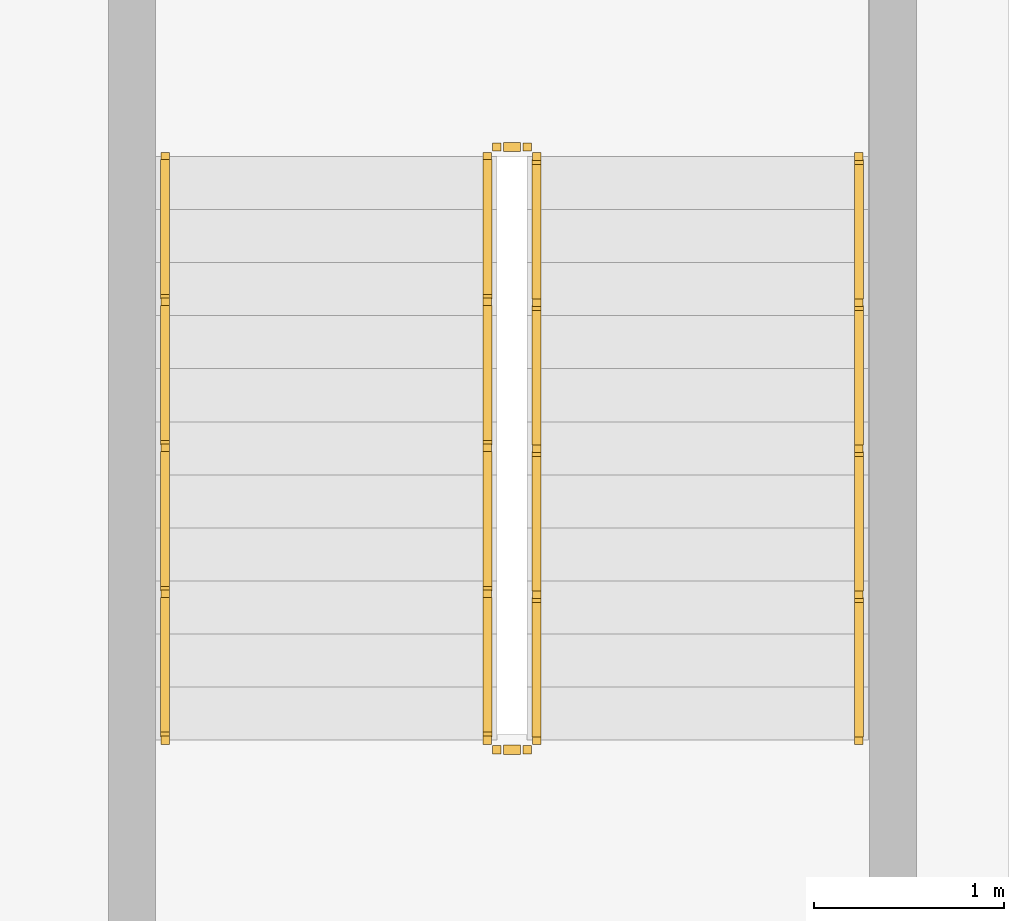
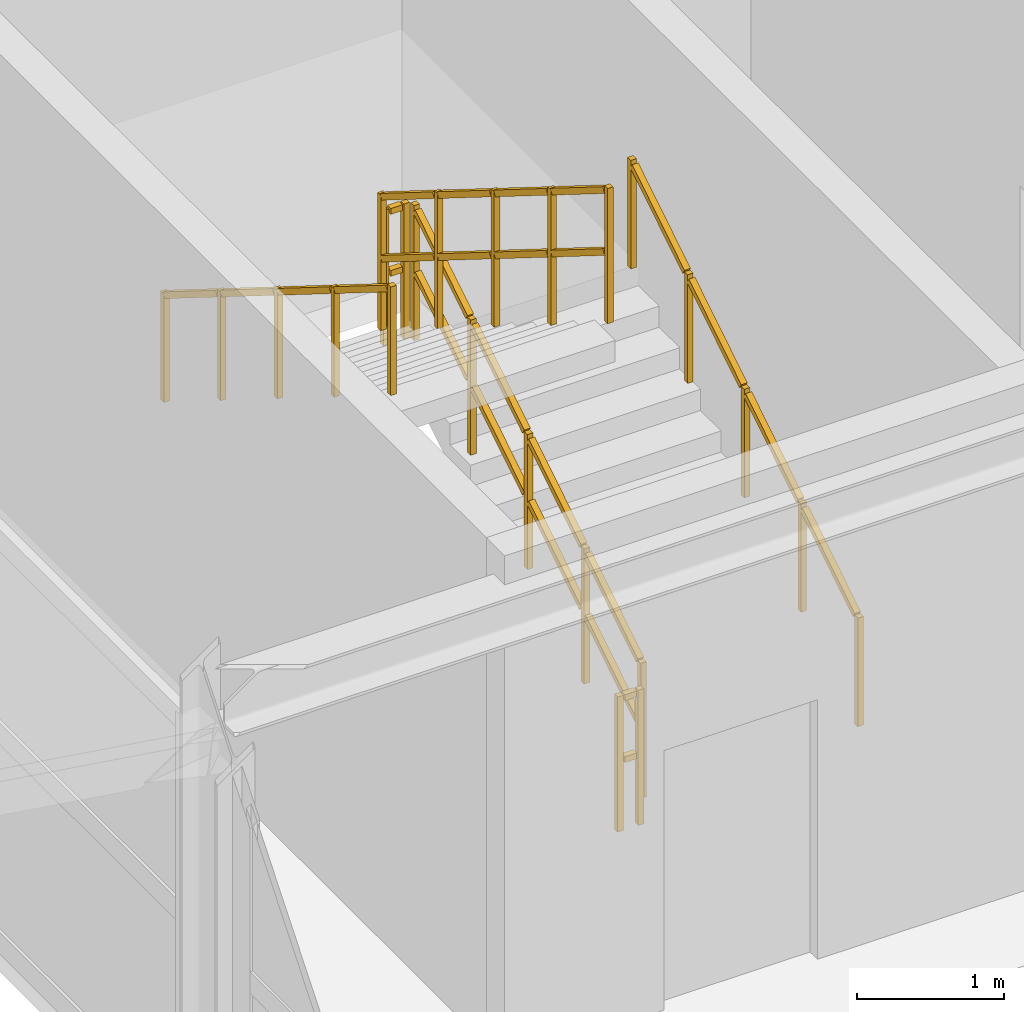
# One storey, part 71 of 81: 6 railings.
"""IFC4 building model written with IfcOpenShell, lengths in metres."""

from ifc_helpers import new_model, si_unit, direction, frame, origin, origin_2d, place, context, subcontext, project, spatial, rectangle, extrude, material, type_object, element, save


model = new_model("IFC4")

# Units and contexts
model_context = context("Model", 3, precision=1e-05, world=origin(), true_north=direction((0.0, 1.0)))
body_context = subcontext(model_context, "Body", "Model", "MODEL_VIEW")
ifc_project = project(units=[si_unit("LENGTHUNIT", "METRE"), si_unit("AREAUNIT", "SQUARE_METRE"), si_unit("VOLUMEUNIT", "CUBIC_METRE"), si_unit("PLANEANGLEUNIT", "RADIAN"), si_unit("MASSUNIT", "GRAM", prefix="KILO")], contexts=[model_context])

# Site, building, storey
site_placement = place(None, origin())
site = spatial("IfcSite", under=ifc_project, at=site_placement, CompositionType="ELEMENT")
building_placement = place(site_placement, origin())
building = spatial("IfcBuilding", under=site, at=building_placement, Name="Myrtia Square Station", CompositionType="ELEMENT")
storey_placement = place(building_placement, frame((0.0, 0.0, 10.800048828125)))
storey = spatial("IfcBuildingStorey", under=building, at=storey_placement, Name="L02", CompositionType="ELEMENT", Elevation=10.800048828125)

# Railings
ifc_material_1 = material(Name="Dark bronze anodised aluminium", Category="aluminium")
railing_type_1 = type_object("IfcRailingType", Name="RL-HANDRAIL-900", PredefinedType="HANDRAIL", material=ifc_material_1)
railing_1_placement = place(storey_placement, frame((85.56005859375, 88.449951171875, 0.175048828125)))
element("IfcRailing", 1, at=railing_1_placement, inside=storey, type_object=railing_type_1, Name="L02 ST02 stair handrail 1", PredefinedType="HANDRAIL", context=body_context, shape_type="SweptSolid", body=[
    extrude(rectangle(XDim=0.048095703125, YDim=0.048095703125, at=origin_2d()), frame((0.0, 0.029296875, 0.894287109375), z_axis=(0.0, 0.848028513186, 0.529950602248), x_axis=(-1.0, 0.0, 0.0)), (0.0, 0.0, 1.0), 0.838623046875),
    extrude(rectangle(XDim=0.048095703125, YDim=0.048095703125, at=origin_2d()), frame((0.0, 0.79931640625, 1.37548828125), z_axis=(0.0, 0.848028513186, 0.529950602248), x_axis=(-1.0, 0.0, 0.0)), (0.0, 0.0, 1.0), 0.838623046875),
    extrude(rectangle(XDim=0.048095703125, YDim=0.048095703125, at=origin_2d()), frame((0.0, 1.5693359375, 1.856689453125), z_axis=(0.0, 0.848028513186, 0.529950602248), x_axis=(-1.0, 0.0, 0.0)), (0.0, 0.0, 1.0), 0.838623046875),
    extrude(rectangle(XDim=0.048095703125, YDim=0.048095703125, at=origin_2d()), frame((0.0, 2.33935546875, 2.337890625), z_axis=(0.0, 0.848028513186, 0.529950602248), x_axis=(-1.0, 0.0, 0.0)), (0.0, 0.0, 1.0), 0.838623046875),
    extrude(rectangle(XDim=0.0439453125, YDim=0.0439453125, at=origin_2d()), origin(), (0.0, 0.0, 1.0), 0.89990234375),
    extrude(rectangle(XDim=0.0439453125, YDim=0.0439453125, at=origin_2d()), frame((0.0, 0.77001953125, 0.481201171875)), (0.0, 0.0, 1.0), 0.89990234375),
    extrude(rectangle(XDim=0.0439453125, YDim=0.0439453125, at=origin_2d()), frame((0.0, 1.5400390625, 0.96240234375)), (0.0, 0.0, 1.0), 0.89990234375),
    extrude(rectangle(XDim=0.0439453125, YDim=0.0439453125, at=origin_2d()), frame((0.0, 2.31005859375, 1.443603515625)), (0.0, 0.0, 1.0), 0.89990234375),
    extrude(rectangle(XDim=0.0439453125, YDim=0.0439453125, at=origin_2d()), frame((0.0, 3.080078125, 1.9248046875)), (0.0, 0.0, 1.0), 0.89990234375),
])
railing_2_placement = place(storey_placement, frame((81.89990234375, 91.530029296875, 2.27490234375)))
element("IfcRailing", 2, at=railing_2_placement, inside=storey, type_object=railing_type_1, Name="L02 ST02 stair handrail 2", PredefinedType="HANDRAIL", context=body_context, shape_type="SweptSolid", body=[
    extrude(rectangle(XDim=0.048095703125, YDim=0.048095703125, at=origin_2d()), frame((0.0, -0.029296875, 0.894287109375), z_axis=(0.0, -0.847998304005, 0.529998940003), x_axis=(1.0, 0.0, 0.0)), (0.0, 0.0, 1.0), 0.8388671875),
    extrude(rectangle(XDim=0.048095703125, YDim=0.048095703125, at=origin_2d()), frame((0.0, -0.79931640625, 1.37548828125), z_axis=(0.0, -0.847998304005, 0.529998940003), x_axis=(1.0, 0.0, 0.0)), (0.0, 0.0, 1.0), 0.8388671875),
    extrude(rectangle(XDim=0.048095703125, YDim=0.048095703125, at=origin_2d()), frame((0.0, -1.5693359375, 1.856689453125), z_axis=(0.0, -0.847998304005, 0.529998940003), x_axis=(1.0, 0.0, 0.0)), (0.0, 0.0, 1.0), 0.8388671875),
    extrude(rectangle(XDim=0.048095703125, YDim=0.048095703125, at=origin_2d()), frame((0.0, -2.33935546875, 2.337890625), z_axis=(0.0, -0.847998304005, 0.529998940003), x_axis=(1.0, 0.0, 0.0)), (0.0, 0.0, 1.0), 0.8388671875),
    extrude(rectangle(XDim=0.0439453125, YDim=0.0439453125, at=origin_2d()), origin(), (0.0, 0.0, 1.0), 0.89990234375),
    extrude(rectangle(XDim=0.0439453125, YDim=0.0439453125, at=origin_2d()), frame((0.0, -0.77001953125, 0.481201171875)), (0.0, 0.0, 1.0), 0.89990234375),
    extrude(rectangle(XDim=0.0439453125, YDim=0.0439453125, at=origin_2d()), frame((0.0, -1.5400390625, 0.96240234375)), (0.0, 0.0, 1.0), 0.89990234375),
    extrude(rectangle(XDim=0.0439453125, YDim=0.0439453125, at=origin_2d()), frame((0.0, -2.31005859375, 1.44384765625)), (0.0, 0.0, 1.0), 0.89990234375),
    extrude(rectangle(XDim=0.0439453125, YDim=0.0439453125, at=origin_2d()), frame((0.0, -3.080078125, 1.925048828125)), (0.0, 0.0, 1.0), 0.89990234375),
])
ifc_material_2 = material(Name="Wrought iron", Category="steel")
railing_type_2 = type_object("IfcRailingType", Name="RL-INT-GUARD-1100", PredefinedType="BALUSTRADE", material=ifc_material_2)
railing_3_placement = place(storey_placement, frame((83.860107421875, 88.449951171875, 0.175048828125)))
element("IfcRailing", 3, at=railing_3_placement, inside=storey, type_object=railing_type_2, Name="L02 ST02 stair guard 1", PredefinedType="BALUSTRADE", context=body_context, shape_type="SweptSolid", body=[
    extrude(rectangle(XDim=0.048095703125, YDim=0.048095703125, at=origin_2d()), frame((0.0, 0.029296875, 1.114501953125), z_axis=(0.0, 0.848028513186, 0.529950602248), x_axis=(-1.0, 0.0, 0.0)), (0.0, 0.0, 1.0), 0.838623046875),
    extrude(rectangle(XDim=0.048095703125, YDim=0.048095703125, at=origin_2d()), frame((0.0, 0.029296875, 0.600830078125), z_axis=(0.0, 0.848028513186, 0.529950602248), x_axis=(-1.0, 0.0, 0.0)), (0.0, 0.0, 1.0), 0.838623046875),
    extrude(rectangle(XDim=0.048095703125, YDim=0.048095703125, at=origin_2d()), frame((0.0, 0.79931640625, 1.595703125), z_axis=(0.0, 0.848028513186, 0.529950602248), x_axis=(-1.0, 0.0, 0.0)), (0.0, 0.0, 1.0), 0.838623046875),
    extrude(rectangle(XDim=0.048095703125, YDim=0.048095703125, at=origin_2d()), frame((0.0, 0.79931640625, 1.08203125), z_axis=(0.0, 0.848028513186, 0.529950602248), x_axis=(-1.0, 0.0, 0.0)), (0.0, 0.0, 1.0), 0.838623046875),
    extrude(rectangle(XDim=0.048095703125, YDim=0.048095703125, at=origin_2d()), frame((0.0, 1.5693359375, 2.076904296875), z_axis=(0.0, 0.848028513186, 0.529950602248), x_axis=(-1.0, 0.0, 0.0)), (0.0, 0.0, 1.0), 0.838623046875),
    extrude(rectangle(XDim=0.048095703125, YDim=0.048095703125, at=origin_2d()), frame((0.0, 1.5693359375, 1.563232421875), z_axis=(0.0, 0.848028513186, 0.529950602248), x_axis=(-1.0, 0.0, 0.0)), (0.0, 0.0, 1.0), 0.838623046875),
    extrude(rectangle(XDim=0.048095703125, YDim=0.048095703125, at=origin_2d()), frame((0.0, 2.33935546875, 2.55810546875), z_axis=(0.0, 0.848028513186, 0.529950602248), x_axis=(-1.0, 0.0, 0.0)), (0.0, 0.0, 1.0), 0.838623046875),
    extrude(rectangle(XDim=0.048095703125, YDim=0.048095703125, at=origin_2d()), frame((0.0, 2.33935546875, 2.04443359375), z_axis=(0.0, 0.848028513186, 0.529950602248), x_axis=(-1.0, 0.0, 0.0)), (0.0, 0.0, 1.0), 0.838623046875),
    extrude(rectangle(XDim=0.0439453125, YDim=0.0439453125, at=origin_2d()), origin(), (0.0, 0.0, 1.0), 1.1201171875),
    extrude(rectangle(XDim=0.0439453125, YDim=0.0439453125, at=origin_2d()), frame((0.0, 0.77001953125, 0.481201171875)), (0.0, 0.0, 1.0), 1.1201171875),
    extrude(rectangle(XDim=0.0439453125, YDim=0.0439453125, at=origin_2d()), frame((0.0, 1.5400390625, 0.96240234375)), (0.0, 0.0, 1.0), 1.1201171875),
    extrude(rectangle(XDim=0.0439453125, YDim=0.0439453125, at=origin_2d()), frame((0.0, 2.31005859375, 1.443603515625)), (0.0, 0.0, 1.0), 1.1201171875),
    extrude(rectangle(XDim=0.0439453125, YDim=0.0439453125, at=origin_2d()), frame((0.0, 3.080078125, 1.9248046875)), (0.0, 0.0, 1.0), 1.1201171875),
])
railing_4_placement = place(storey_placement, frame((83.81005859375, 91.580078125, 2.099853515625)))
element("IfcRailing", 4, at=railing_4_placement, inside=storey, type_object=railing_type_2, Name="L02 ST02 stair guard 2", PredefinedType="BALUSTRADE", context=body_context, shape_type="SweptSolid", body=[
    extrude(rectangle(XDim=0.048095703125, YDim=0.048095703125, at=origin_2d()), frame((-0.03466796875, 0.0, 1.09619140625), z_axis=(-1.0, 0.0, 0.0), x_axis=(0.0, -1.0, 0.0)), (0.0, 0.0, 1.0), 0.0908203125),
    extrude(rectangle(XDim=0.048095703125, YDim=0.048095703125, at=origin_2d()), frame((-0.03466796875, 0.0, 0.58251953125), z_axis=(-1.0, 0.0, 0.0), x_axis=(0.0, -1.0, 0.0)), (0.0, 0.0, 1.0), 0.0908203125),
    extrude(rectangle(XDim=0.0439453125, YDim=0.0439453125, at=origin_2d()), origin(), (0.0, 0.0, 1.0), 1.1201171875),
    extrude(rectangle(XDim=0.0439453125, YDim=0.0439453125, at=origin_2d()), frame((-0.16015625, 0.0, 0.0)), (0.0, 0.0, 1.0), 1.1201171875),
])
railing_5_placement = place(storey_placement, frame((83.60009765625, 91.530029296875, 2.27490234375)))
element("IfcRailing", 5, at=railing_5_placement, inside=storey, type_object=railing_type_2, Name="L02 ST02 stair guard 3", PredefinedType="BALUSTRADE", context=body_context, shape_type="SweptSolid", body=[
    extrude(rectangle(XDim=0.048095703125, YDim=0.048095703125, at=origin_2d()), frame((0.0, -0.029296875, 1.114501953125), z_axis=(0.0, -0.847998304005, 0.529998940003), x_axis=(1.0, 0.0, 0.0)), (0.0, 0.0, 1.0), 0.8388671875),
    extrude(rectangle(XDim=0.048095703125, YDim=0.048095703125, at=origin_2d()), frame((0.0, -0.029296875, 0.600830078125), z_axis=(0.0, -0.847998304005, 0.529998940003), x_axis=(1.0, 0.0, 0.0)), (0.0, 0.0, 1.0), 0.8388671875),
    extrude(rectangle(XDim=0.048095703125, YDim=0.048095703125, at=origin_2d()), frame((0.0, -0.79931640625, 1.595703125), z_axis=(0.0, -0.847998304005, 0.529998940003), x_axis=(1.0, 0.0, 0.0)), (0.0, 0.0, 1.0), 0.8388671875),
    extrude(rectangle(XDim=0.048095703125, YDim=0.048095703125, at=origin_2d()), frame((0.0, -0.79931640625, 1.08203125), z_axis=(0.0, -0.847998304005, 0.529998940003), x_axis=(1.0, 0.0, 0.0)), (0.0, 0.0, 1.0), 0.8388671875),
    extrude(rectangle(XDim=0.048095703125, YDim=0.048095703125, at=origin_2d()), frame((0.0, -1.5693359375, 2.076904296875), z_axis=(0.0, -0.847998304005, 0.529998940003), x_axis=(1.0, 0.0, 0.0)), (0.0, 0.0, 1.0), 0.8388671875),
    extrude(rectangle(XDim=0.048095703125, YDim=0.048095703125, at=origin_2d()), frame((0.0, -1.5693359375, 1.563232421875), z_axis=(0.0, -0.847998304005, 0.529998940003), x_axis=(1.0, 0.0, 0.0)), (0.0, 0.0, 1.0), 0.8388671875),
    extrude(rectangle(XDim=0.048095703125, YDim=0.048095703125, at=origin_2d()), frame((0.0, -2.33935546875, 2.55810546875), z_axis=(0.0, -0.847998304005, 0.529998940003), x_axis=(1.0, 0.0, 0.0)), (0.0, 0.0, 1.0), 0.8388671875),
    extrude(rectangle(XDim=0.048095703125, YDim=0.048095703125, at=origin_2d()), frame((0.0, -2.33935546875, 2.044677734375), z_axis=(0.0, -0.847998304005, 0.529998940003), x_axis=(1.0, 0.0, 0.0)), (0.0, 0.0, 1.0), 0.8388671875),
    extrude(rectangle(XDim=0.0439453125, YDim=0.0439453125, at=origin_2d()), origin(), (0.0, 0.0, 1.0), 1.1201171875),
    extrude(rectangle(XDim=0.0439453125, YDim=0.0439453125, at=origin_2d()), frame((0.0, -0.77001953125, 0.481201171875)), (0.0, 0.0, 1.0), 1.1201171875),
    extrude(rectangle(XDim=0.0439453125, YDim=0.0439453125, at=origin_2d()), frame((0.0, -1.5400390625, 0.96240234375)), (0.0, 0.0, 1.0), 1.1201171875),
    extrude(rectangle(XDim=0.0439453125, YDim=0.0439453125, at=origin_2d()), frame((0.0, -2.31005859375, 1.44384765625)), (0.0, 0.0, 1.0), 1.1201171875),
    extrude(rectangle(XDim=0.0439453125, YDim=0.0439453125, at=origin_2d()), frame((0.0, -3.080078125, 1.925048828125)), (0.0, 0.0, 1.0), 1.1201171875),
])
railing_6_placement = place(storey_placement, frame((83.81005859375, 88.39990234375, 0.0)))
element("IfcRailing", 6, at=railing_6_placement, inside=storey, type_object=railing_type_2, Name="L02 ST02 stair guard 4", PredefinedType="BALUSTRADE", context=body_context, shape_type="SweptSolid", body=[
    extrude(rectangle(XDim=0.048095703125, YDim=0.048095703125, at=origin_2d()), frame((-0.03466796875, 0.0, 1.09619140625), z_axis=(-1.0, 0.0, 0.0), x_axis=(0.0, -1.0, 0.0)), (0.0, 0.0, 1.0), 0.0908203125),
    extrude(rectangle(XDim=0.048095703125, YDim=0.048095703125, at=origin_2d()), frame((-0.03466796875, 0.0, 0.58251953125), z_axis=(-1.0, 0.0, 0.0), x_axis=(0.0, -1.0, 0.0)), (0.0, 0.0, 1.0), 0.0908203125),
    extrude(rectangle(XDim=0.0439453125, YDim=0.0439453125, at=origin_2d()), origin(), (0.0, 0.0, 1.0), 1.1201171875),
    extrude(rectangle(XDim=0.0439453125, YDim=0.0439453125, at=origin_2d()), frame((-0.16015625, 0.0, 0.0)), (0.0, 0.0, 1.0), 1.1201171875),
])

save(model, "model.ifc")
